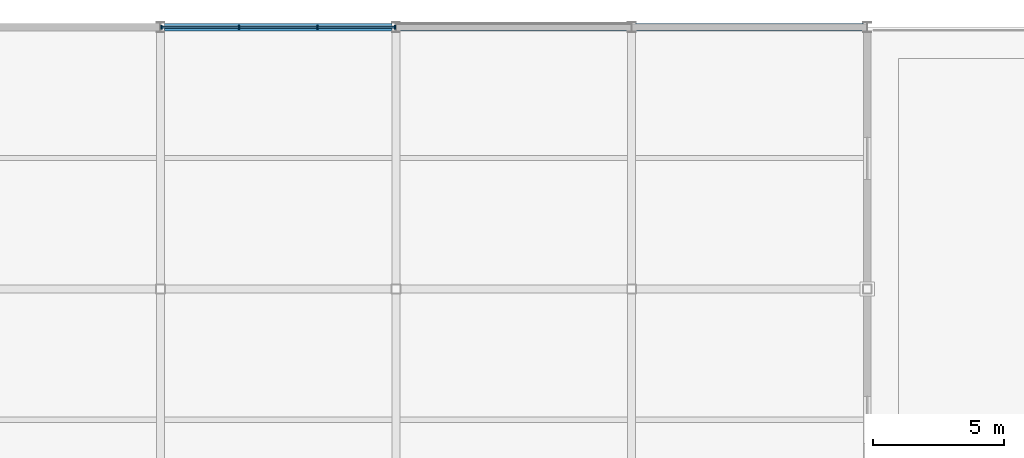
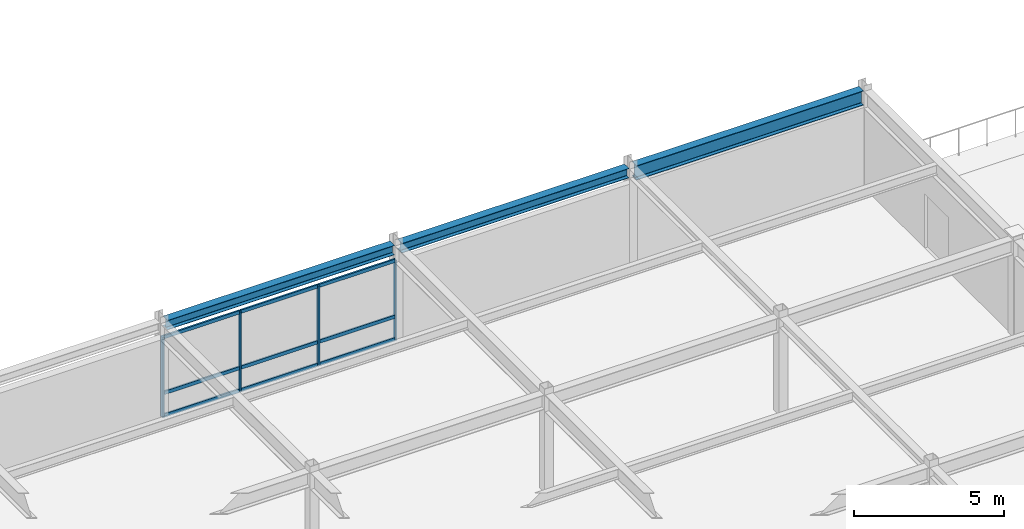
# One storey, part 27 of 53: 13 members, 3 beams, 1 element without a shape of its own.
"""IFC4 building model written with IfcOpenShell, lengths in metres."""

from ifc_helpers import new_model, si_unit, direction, frame, origin, origin_2d, place, context, subcontext, project, spatial, rectangle, i_section, extrude, material, material_profile, profile_set, type_object, element, aggregate, save


model = new_model("IFC4")

# Units and contexts
model_context = context("Model", 3, precision=1e-05, world=origin(), true_north=direction((0.0, 1.0)))
body_context = subcontext(model_context, "Body", "Model", "MODEL_VIEW")
ifc_project = project(units=[si_unit("LENGTHUNIT", "METRE"), si_unit("AREAUNIT", "SQUARE_METRE"), si_unit("VOLUMEUNIT", "CUBIC_METRE"), si_unit("PLANEANGLEUNIT", "RADIAN"), si_unit("MASSUNIT", "GRAM", prefix="KILO")], contexts=[model_context])

# Site, building, storey
site_placement = place(None, origin())
site = spatial("IfcSite", under=ifc_project, at=site_placement, CompositionType="ELEMENT")
building_placement = place(site_placement, origin())
building = spatial("IfcBuilding", under=site, at=building_placement, Name="Suzunagisa Mobility Hub", CompositionType="ELEMENT")
storey_placement = place(building_placement, frame((0.0, 0.0, 17.699951171875)))
storey = spatial("IfcBuildingStorey", under=building, at=storey_placement, Name="L04", CompositionType="ELEMENT", Elevation=17.699951171875)

# Curtain wall, members
ifc_material_1 = material(Name="Thermally Broken Anodized Aluminum and Low-E Glazing", Category="aluminium")
curtain_wall_type = type_object("IfcCurtainWallType", Name="Unitised Curtain Wall CW-33 9000x3200", PredefinedType="USERDEFINED", material=ifc_material_1)
curtain_wall_placement = place(storey_placement, origin())
curtain_wall = element("IfcCurtainWall", 1, at=curtain_wall_placement, inside=storey, type_object=curtain_wall_type, Name="L04 Unitised Curtain Wall CW-133", ObjectType="UNITISED CURTAIN WALL", PredefinedType="USERDEFINED")
ifc_material_2 = material(Name="Anodized Aluminum 6063-T6", Category="aluminium")
ifc_material_profile_1 = material_profile(ifc_material_2, rectangle(XDim=0.06494140625, YDim=0.139892578125, at=origin_2d()), Name="TRAN-65x140")
ifc_profile_set_1 = profile_set([ifc_material_profile_1], Name="Anodized Aluminum 6063-T6")
member_type_1 = type_object("IfcMemberType", Name="Curtain Wall Framing CM-01 TRAN-65x140", PredefinedType="USERDEFINED", material=ifc_profile_set_1)
member_1_placement = place(storey_placement, frame((89.9375, 118.0, 0.032470703125), z_axis=(-1.0, 0.0, 0.0), x_axis=(0.0, -1.0, 0.0)))
member_1 = element("IfcMember", 2, at=member_1_placement, type_object=member_type_1, Name="Curtain Wall Transom 133-T1.1", ObjectType="TRANSOM", PredefinedType="USERDEFINED", context=body_context, shape_type="SweptSolid", body=[
    extrude(rectangle(XDim=0.06494140625, YDim=0.139892578125, at=origin_2d()), origin(), (0.0, 0.0, 1.0), 2.910888671875),
])
member_2_placement = place(storey_placement, frame((89.9375, 118.0, 0.949951171875), z_axis=(-1.0, 0.0, 0.0), x_axis=(0.0, -1.0, 0.0)))
member_2 = element("IfcMember", 3, at=member_2_placement, type_object=member_type_1, Name="Curtain Wall Transom 133-T1.2", ObjectType="TRANSOM", PredefinedType="USERDEFINED", context=body_context, shape_type="SweptSolid", body=[
    extrude(rectangle(XDim=0.06494140625, YDim=0.139892578125, at=origin_2d()), origin(), (0.0, 0.0, 1.0), 2.910888671875),
])
member_3_placement = place(storey_placement, frame((89.9375, 118.0, 3.217529296875), z_axis=(-1.0, 0.0, 0.0), x_axis=(0.0, -1.0, 0.0)))
member_3 = element("IfcMember", 4, at=member_3_placement, type_object=member_type_1, Name="Curtain Wall Transom 133-T1.3", ObjectType="TRANSOM", PredefinedType="USERDEFINED", context=body_context, shape_type="SweptSolid", body=[
    extrude(rectangle(XDim=0.06494140625, YDim=0.139892578125, at=origin_2d()), origin(), (0.0, 0.0, 1.0), 2.910888671875),
])
member_4_placement = place(storey_placement, frame((86.970458984375, 118.0, 0.032470703125), z_axis=(-1.0, 0.0, 0.0), x_axis=(0.0, -1.0, 0.0)))
member_4 = element("IfcMember", 5, at=member_4_placement, type_object=member_type_1, Name="Curtain Wall Transom 133-T2.1", ObjectType="TRANSOM", PredefinedType="USERDEFINED", context=body_context, shape_type="SweptSolid", body=[
    extrude(rectangle(XDim=0.06494140625, YDim=0.139892578125, at=origin_2d()), origin(), (0.0, 0.0, 1.0), 2.94091796875),
])
member_5_placement = place(storey_placement, frame((86.970458984375, 118.0, 0.949951171875), z_axis=(-1.0, 0.0, 0.0), x_axis=(0.0, -1.0, 0.0)))
member_5 = element("IfcMember", 6, at=member_5_placement, type_object=member_type_1, Name="Curtain Wall Transom 133-T2.2", ObjectType="TRANSOM", PredefinedType="USERDEFINED", context=body_context, shape_type="SweptSolid", body=[
    extrude(rectangle(XDim=0.06494140625, YDim=0.139892578125, at=origin_2d()), origin(), (0.0, 0.0, 1.0), 2.94091796875),
])
member_6_placement = place(storey_placement, frame((86.970458984375, 118.0, 3.217529296875), z_axis=(-1.0, 0.0, 0.0), x_axis=(0.0, -1.0, 0.0)))
member_6 = element("IfcMember", 7, at=member_6_placement, type_object=member_type_1, Name="Curtain Wall Transom 133-T2.3", ObjectType="TRANSOM", PredefinedType="USERDEFINED", context=body_context, shape_type="SweptSolid", body=[
    extrude(rectangle(XDim=0.06494140625, YDim=0.139892578125, at=origin_2d()), origin(), (0.0, 0.0, 1.0), 2.94091796875),
])
member_7_placement = place(storey_placement, frame((83.973388671875, 118.0, 0.032470703125), z_axis=(-1.0, 0.0, 0.0), x_axis=(0.0, -1.0, 0.0)))
member_7 = element("IfcMember", 8, at=member_7_placement, type_object=member_type_1, Name="Curtain Wall Transom 133-T3.1", ObjectType="TRANSOM", PredefinedType="USERDEFINED", context=body_context, shape_type="SweptSolid", body=[
    extrude(rectangle(XDim=0.06494140625, YDim=0.139892578125, at=origin_2d()), origin(), (0.0, 0.0, 1.0), 2.910888671875),
])
member_8_placement = place(storey_placement, frame((83.973388671875, 118.0, 0.949951171875), z_axis=(-1.0, 0.0, 0.0), x_axis=(0.0, -1.0, 0.0)))
member_8 = element("IfcMember", 9, at=member_8_placement, type_object=member_type_1, Name="Curtain Wall Transom 133-T3.2", ObjectType="TRANSOM", PredefinedType="USERDEFINED", context=body_context, shape_type="SweptSolid", body=[
    extrude(rectangle(XDim=0.06494140625, YDim=0.139892578125, at=origin_2d()), origin(), (0.0, 0.0, 1.0), 2.910888671875),
])
member_9_placement = place(storey_placement, frame((83.973388671875, 118.0, 3.217529296875), z_axis=(-1.0, 0.0, 0.0), x_axis=(0.0, -1.0, 0.0)))
member_9 = element("IfcMember", 10, at=member_9_placement, type_object=member_type_1, Name="Curtain Wall Transom 133-T3.3", ObjectType="TRANSOM", PredefinedType="USERDEFINED", context=body_context, shape_type="SweptSolid", body=[
    extrude(rectangle(XDim=0.06494140625, YDim=0.139892578125, at=origin_2d()), origin(), (0.0, 0.0, 1.0), 2.910888671875),
])
ifc_material_profile_2 = material_profile(ifc_material_2, rectangle(XDim=0.06005859375, YDim=0.14990234375, at=origin_2d()), Name="MULL-60x150")
ifc_profile_set_2 = profile_set([ifc_material_profile_2], Name="Anodized Aluminum 6063-T6")
member_type_2 = type_object("IfcMemberType", Name="Curtain Wall Framing CM-03 MULL-60x150", PredefinedType="MULLION", material=ifc_profile_set_2)
member_10_placement = place(storey_placement, frame((89.965576171875, 118.0, 0.0), z_axis=(0.0, 0.0, 1.0), x_axis=(-1.0, 0.0, 0.0)))
member_10 = element("IfcMember", 11, at=member_10_placement, type_object=member_type_2, Name="Curtain Wall Mullion 133-M1", PredefinedType="MULLION", context=body_context, shape_type="SweptSolid", body=[
    extrude(rectangle(XDim=0.06005859375, YDim=0.14990234375, at=origin_2d()), origin(), (0.0, 0.0, 1.0), 3.25),
])
member_11_placement = place(storey_placement, frame((86.99853515625, 118.0, 0.0), z_axis=(0.0, 0.0, 1.0), x_axis=(-1.0, 0.0, 0.0)))
member_11 = element("IfcMember", 12, at=member_11_placement, type_object=member_type_2, Name="Curtain Wall Mullion 133-M2", PredefinedType="MULLION", context=body_context, shape_type="SweptSolid", body=[
    extrude(rectangle(XDim=0.06005859375, YDim=0.14990234375, at=origin_2d()), origin(), (0.0, 0.0, 1.0), 3.25),
])
member_12_placement = place(storey_placement, frame((84.00146484375, 118.0, 0.0), z_axis=(0.0, 0.0, 1.0), x_axis=(-1.0, 0.0, 0.0)))
member_12 = element("IfcMember", 13, at=member_12_placement, type_object=member_type_2, Name="Curtain Wall Mullion 133-M3", PredefinedType="MULLION", context=body_context, shape_type="SweptSolid", body=[
    extrude(rectangle(XDim=0.06005859375, YDim=0.14990234375, at=origin_2d()), origin(), (0.0, 0.0, 1.0), 3.25),
])
member_13_placement = place(storey_placement, frame((81.034423828125, 118.0, 0.0), z_axis=(0.0, 0.0, 1.0), x_axis=(-1.0, 0.0, 0.0)))
member_13 = element("IfcMember", 14, at=member_13_placement, type_object=member_type_2, Name="Curtain Wall Mullion 133-M4", PredefinedType="MULLION", context=body_context, shape_type="SweptSolid", body=[
    extrude(rectangle(XDim=0.06005859375, YDim=0.14990234375, at=origin_2d()), origin(), (0.0, 0.0, 1.0), 3.25),
])
aggregate(curtain_wall, [member_10, member_11, member_12, member_13, member_1, member_2, member_3, member_4, member_5, member_6, member_7, member_8, member_9])

# Beams
ifc_material_3 = material(Name="Steel SN490B", Category="steel")
ifc_material_profile_3 = material_profile(ifc_material_3, i_section(OverallWidth=0.300048828125, OverallDepth=0.389892578125, WebThickness=0.010009765625, FlangeThickness=0.01611328125, FilletRadius=0.012939453125, at=origin_2d()), Name="H-390x300x10x16")
ifc_profile_set_3 = profile_set([ifc_material_profile_3], Name="Steel SN490B")
beam_type_1 = type_object("IfcBeamType", Name="Steel Beam BM-13 H-390x300x10x16", PredefinedType="SPANDREL", material=ifc_profile_set_3)
for number, where, z_axis, x_axis, name in (
    (15, (81.14599609375, 118.0, 3.755126953125), (1.0, 0.0, 0.0), (0.0, 1.0, 0.0), "L04 Primary Girder GX-1171"),
    (16, (90.14599609375, 118.0, 3.72509765625), (1.0, 0.0, 0.0), (0.0, 1.0, 0.0), "L04 Primary Girder GX-1172"),
):
    element("IfcBeam", number, at=place(storey_placement, frame(where, z_axis=z_axis, x_axis=x_axis)), inside=storey, type_object=beam_type_1, Name=name, PredefinedType="SPANDREL", context=body_context, shape_type="SweptSolid", body=[
        extrude(i_section(OverallWidth=0.300048828125, OverallDepth=0.389892578125, WebThickness=0.010009765625, FlangeThickness=0.01611328125, FilletRadius=0.012939453125, at=origin_2d()), origin(), (0.0, 0.0, 1.0), 8.7080078125),
    ])
ifc_material_profile_4 = material_profile(ifc_material_3, i_section(OverallWidth=0.300048828125, OverallDepth=0.587890625, WebThickness=0.011962890625, FlangeThickness=0.02001953125, FilletRadius=0.012939453125, at=origin_2d()), Name="H-588x300x12x20")
ifc_profile_set_4 = profile_set([ifc_material_profile_4], Name="Steel SN490B")
beam_type_2 = type_object("IfcBeamType", Name="Steel Beam BM-16 H-588x300x12x20", PredefinedType="BEAM", material=ifc_profile_set_4)
beam_placement = place(storey_placement, frame((99.14599609375, 118.0, 3.6259765625), z_axis=(1.0, 0.0, 0.0), x_axis=(0.0, 1.0, 0.0)))
element("IfcBeam", 17, at=beam_placement, inside=storey, type_object=beam_type_2, Name="L04 Primary Girder GX-1225", PredefinedType="BEAM", context=body_context, shape_type="SweptSolid", body=[
    extrude(i_section(OverallWidth=0.300048828125, OverallDepth=0.587890625, WebThickness=0.011962890625, FlangeThickness=0.02001953125, FilletRadius=0.012939453125, at=origin_2d()), origin(), (0.0, 0.0, 1.0), 8.7080078125),
])

save(model, "model.ifc")
